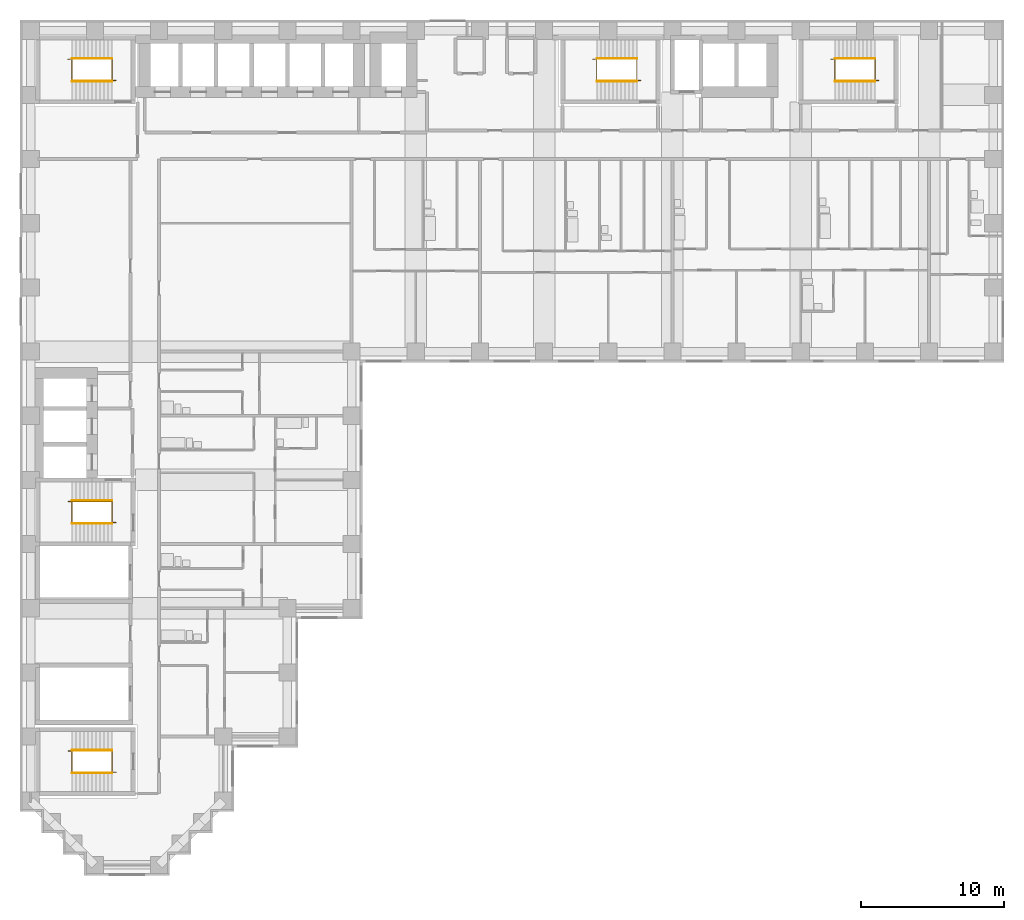
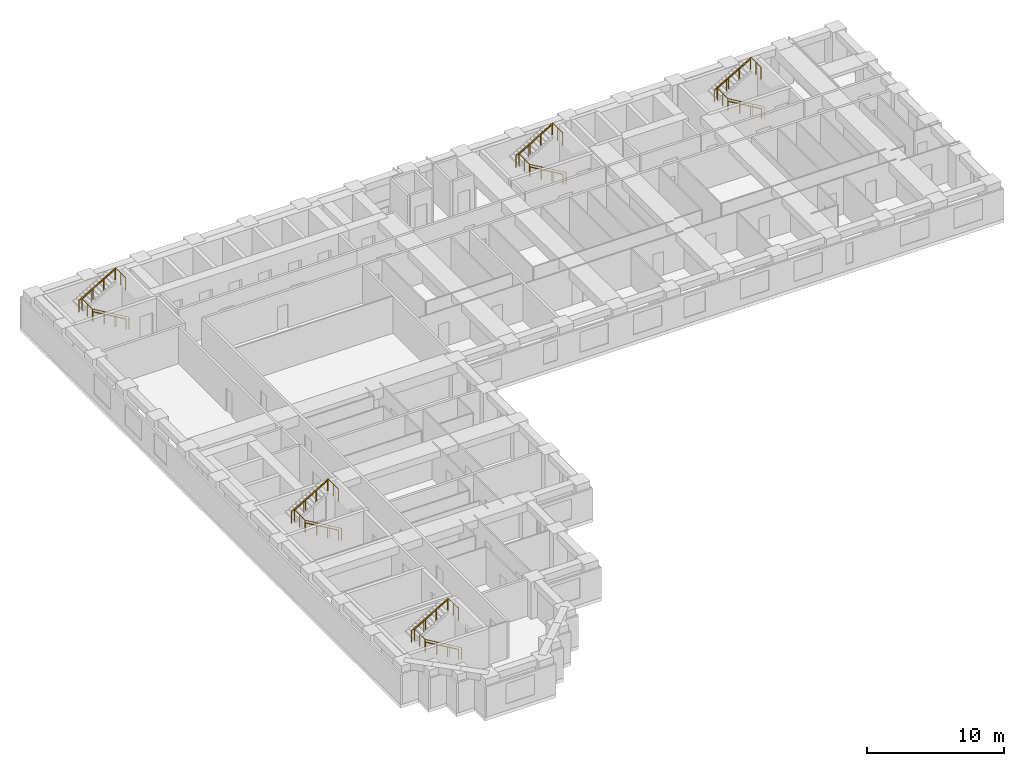
# One storey, part 10 of 11: 15 railings.
"""IFC4 building model written with IfcOpenShell, lengths in metres."""

from ifc_helpers import new_model, si_unit, direction, frame, origin, origin_2d, place, context, subcontext, project, spatial, circle, extrude, material, type_object, element, save


model = new_model("IFC4")

# Units and contexts
model_context = context("Model", 3, precision=1e-05, world=origin(), true_north=direction((0.0, 1.0)))
body_context = subcontext(model_context, "Body", "Model", "MODEL_VIEW")
ifc_project = project(units=[si_unit("LENGTHUNIT", "METRE"), si_unit("AREAUNIT", "SQUARE_METRE"), si_unit("VOLUMEUNIT", "CUBIC_METRE"), si_unit("PLANEANGLEUNIT", "RADIAN"), si_unit("MASSUNIT", "GRAM", prefix="KILO")], contexts=[model_context])

# Site, building, storey
site_placement = place(None, origin())
site = spatial("IfcSite", under=ifc_project, at=site_placement, CompositionType="ELEMENT")
building_placement = place(site_placement, origin())
building = spatial("IfcBuilding", under=site, at=building_placement, Name="Firuza Court", CompositionType="ELEMENT")
storey_placement = place(building_placement, frame((0.0, 0.0, 83.0)))
storey = spatial("IfcBuildingStorey", under=building, at=storey_placement, Name="L20", CompositionType="ELEMENT", Elevation=83.0)

# Railings
ifc_material_1 = material(Name="Steel S355", Category="steel")
railing_type_1 = type_object("IfcRailingType", Name="Handrail 900", PredefinedType="HANDRAIL", material=ifc_material_1)
railing_1_placement = place(storey_placement, frame((42.5, 54.949951171875, 0.16357421875)))
element("IfcRailing", 1, at=railing_1_placement, inside=storey, type_object=railing_type_1, Name="Handrail S1 flight 1", PredefinedType="HANDRAIL", context=body_context, shape_type="SweptSolid", body=[
    extrude(circle(Radius=0.02490234375, at=origin_2d()), frame((0.0, 0.0, 0.875), z_axis=(-0.863360870873, 0.0, 0.504586966384), x_axis=(0.0, -1.0, 0.0)), (0.0, 0.0, 1.0), 3.2431640625),
    extrude(circle(Radius=0.02001953125, at=origin_2d()), origin(), (0.0, 0.0, 1.0), 0.849853515625),
    extrude(circle(Radius=0.02001953125, at=origin_2d()), frame((-0.933349609375, 0.0, 0.54541015625)), (0.0, 0.0, 1.0), 0.849853515625),
    extrude(circle(Radius=0.02001953125, at=origin_2d()), frame((-1.86669921875, 0.0, 1.091064453125)), (0.0, 0.0, 1.0), 0.849853515625),
    extrude(circle(Radius=0.02001953125, at=origin_2d()), frame((-2.800048828125, 0.0, 1.636474609375)), (0.0, 0.0, 1.0), 0.849853515625),
])
railing_2_placement = place(storey_placement, frame((39.699951171875, 56.550048828125, 1.963623046875)))
element("IfcRailing", 2, at=railing_2_placement, inside=storey, type_object=railing_type_1, Name="Handrail S1 flight 2", PredefinedType="HANDRAIL", context=body_context, shape_type="SweptSolid", body=[
    extrude(circle(Radius=0.02490234375, at=origin_2d()), frame((0.0, 0.0, 0.875), z_axis=(0.863360870873, 0.0, 0.504586966384), x_axis=(0.0, 1.0, 0.0)), (0.0, 0.0, 1.0), 3.2431640625),
    extrude(circle(Radius=0.02001953125, at=origin_2d()), origin(), (0.0, 0.0, 1.0), 0.849853515625),
    extrude(circle(Radius=0.02001953125, at=origin_2d()), frame((0.933349609375, 0.0, 0.54541015625)), (0.0, 0.0, 1.0), 0.849853515625),
    extrude(circle(Radius=0.02001953125, at=origin_2d()), frame((1.86669921875, 0.0, 1.091064453125)), (0.0, 0.0, 1.0), 0.849853515625),
    extrude(circle(Radius=0.02001953125, at=origin_2d()), frame((2.800048828125, 0.0, 1.636474609375)), (0.0, 0.0, 1.0), 0.849853515625),
])
railing_3_placement = place(storey_placement, frame((5.699951171875, 23.949951171875, 0.16357421875)))
element("IfcRailing", 3, at=railing_3_placement, inside=storey, type_object=railing_type_1, Name="Handrail S2 flight 1", PredefinedType="HANDRAIL", context=body_context, shape_type="SweptSolid", body=[
    extrude(circle(Radius=0.02490234375, at=origin_2d()), frame((0.0, 0.0, 0.875), z_axis=(-0.863360870873, 0.0, 0.504586966384), x_axis=(0.0, -1.0, 0.0)), (0.0, 0.0, 1.0), 3.2431640625),
    extrude(circle(Radius=0.02001953125, at=origin_2d()), origin(), (0.0, 0.0, 1.0), 0.849853515625),
    extrude(circle(Radius=0.02001953125, at=origin_2d()), frame((-0.933349609375, 0.0, 0.54541015625)), (0.0, 0.0, 1.0), 0.849853515625),
    extrude(circle(Radius=0.02001953125, at=origin_2d()), frame((-1.86669921875, 0.0, 1.091064453125)), (0.0, 0.0, 1.0), 0.849853515625),
    extrude(circle(Radius=0.02001953125, at=origin_2d()), frame((-2.800048828125, 0.0, 1.636474609375)), (0.0, 0.0, 1.0), 0.849853515625),
])
railing_4_placement = place(storey_placement, frame((2.89990234375, 25.550048828125, 1.963623046875)))
element("IfcRailing", 4, at=railing_4_placement, inside=storey, type_object=railing_type_1, Name="Handrail S2 flight 2", PredefinedType="HANDRAIL", context=body_context, shape_type="SweptSolid", body=[
    extrude(circle(Radius=0.02490234375, at=origin_2d()), frame((0.0, 0.0, 0.875), z_axis=(0.863360870873, 0.0, 0.504586966384), x_axis=(0.0, 1.0, 0.0)), (0.0, 0.0, 1.0), 3.2431640625),
    extrude(circle(Radius=0.02001953125, at=origin_2d()), origin(), (0.0, 0.0, 1.0), 0.849853515625),
    extrude(circle(Radius=0.02001953125, at=origin_2d()), frame((0.933349609375, 0.0, 0.54541015625)), (0.0, 0.0, 1.0), 0.849853515625),
    extrude(circle(Radius=0.02001953125, at=origin_2d()), frame((1.86669921875, 0.0, 1.091064453125)), (0.0, 0.0, 1.0), 0.849853515625),
    extrude(circle(Radius=0.02001953125, at=origin_2d()), frame((2.800048828125, 0.0, 1.636474609375)), (0.0, 0.0, 1.0), 0.849853515625),
])
railing_5_placement = place(storey_placement, frame((5.699951171875, 54.949951171875, 0.16357421875)))
element("IfcRailing", 5, at=railing_5_placement, inside=storey, type_object=railing_type_1, Name="Handrail S3 flight 1", PredefinedType="HANDRAIL", context=body_context, shape_type="SweptSolid", body=[
    extrude(circle(Radius=0.02490234375, at=origin_2d()), frame((0.0, 0.0, 0.875), z_axis=(-0.863360870873, 0.0, 0.504586966384), x_axis=(0.0, -1.0, 0.0)), (0.0, 0.0, 1.0), 3.2431640625),
    extrude(circle(Radius=0.02001953125, at=origin_2d()), origin(), (0.0, 0.0, 1.0), 0.849853515625),
    extrude(circle(Radius=0.02001953125, at=origin_2d()), frame((-0.933349609375, 0.0, 0.54541015625)), (0.0, 0.0, 1.0), 0.849853515625),
    extrude(circle(Radius=0.02001953125, at=origin_2d()), frame((-1.86669921875, 0.0, 1.091064453125)), (0.0, 0.0, 1.0), 0.849853515625),
    extrude(circle(Radius=0.02001953125, at=origin_2d()), frame((-2.800048828125, 0.0, 1.636474609375)), (0.0, 0.0, 1.0), 0.849853515625),
])
railing_6_placement = place(storey_placement, frame((2.89990234375, 56.550048828125, 1.963623046875)))
element("IfcRailing", 6, at=railing_6_placement, inside=storey, type_object=railing_type_1, Name="Handrail S3 flight 2", PredefinedType="HANDRAIL", context=body_context, shape_type="SweptSolid", body=[
    extrude(circle(Radius=0.02490234375, at=origin_2d()), frame((0.0, 0.0, 0.875), z_axis=(0.863360870873, 0.0, 0.504586966384), x_axis=(0.0, 1.0, 0.0)), (0.0, 0.0, 1.0), 3.2431640625),
    extrude(circle(Radius=0.02001953125, at=origin_2d()), origin(), (0.0, 0.0, 1.0), 0.849853515625),
    extrude(circle(Radius=0.02001953125, at=origin_2d()), frame((0.933349609375, 0.0, 0.54541015625)), (0.0, 0.0, 1.0), 0.849853515625),
    extrude(circle(Radius=0.02001953125, at=origin_2d()), frame((1.86669921875, 0.0, 1.091064453125)), (0.0, 0.0, 1.0), 0.849853515625),
    extrude(circle(Radius=0.02001953125, at=origin_2d()), frame((2.800048828125, 0.0, 1.636474609375)), (0.0, 0.0, 1.0), 0.849853515625),
])
railing_7_placement = place(storey_placement, frame((59.199951171875, 54.949951171875, 0.16357421875)))
element("IfcRailing", 7, at=railing_7_placement, inside=storey, type_object=railing_type_1, Name="Handrail S4 flight 1", PredefinedType="HANDRAIL", context=body_context, shape_type="SweptSolid", body=[
    extrude(circle(Radius=0.02490234375, at=origin_2d()), frame((0.0, 0.0, 0.875), z_axis=(-0.863360870873, 0.0, 0.504586966384), x_axis=(0.0, -1.0, 0.0)), (0.0, 0.0, 1.0), 3.2431640625),
    extrude(circle(Radius=0.02001953125, at=origin_2d()), origin(), (0.0, 0.0, 1.0), 0.849853515625),
    extrude(circle(Radius=0.02001953125, at=origin_2d()), frame((-0.933349609375, 0.0, 0.54541015625)), (0.0, 0.0, 1.0), 0.849853515625),
    extrude(circle(Radius=0.02001953125, at=origin_2d()), frame((-1.86669921875, 0.0, 1.091064453125)), (0.0, 0.0, 1.0), 0.849853515625),
    extrude(circle(Radius=0.02001953125, at=origin_2d()), frame((-2.800048828125, 0.0, 1.636474609375)), (0.0, 0.0, 1.0), 0.849853515625),
])
railing_8_placement = place(storey_placement, frame((56.39990234375, 56.550048828125, 1.963623046875)))
element("IfcRailing", 8, at=railing_8_placement, inside=storey, type_object=railing_type_1, Name="Handrail S4 flight 2", PredefinedType="HANDRAIL", context=body_context, shape_type="SweptSolid", body=[
    extrude(circle(Radius=0.02490234375, at=origin_2d()), frame((0.0, 0.0, 0.875), z_axis=(0.863360870873, 0.0, 0.504586966384), x_axis=(0.0, 1.0, 0.0)), (0.0, 0.0, 1.0), 3.2431640625),
    extrude(circle(Radius=0.02001953125, at=origin_2d()), origin(), (0.0, 0.0, 1.0), 0.849853515625),
    extrude(circle(Radius=0.02001953125, at=origin_2d()), frame((0.933349609375, 0.0, 0.54541015625)), (0.0, 0.0, 1.0), 0.849853515625),
    extrude(circle(Radius=0.02001953125, at=origin_2d()), frame((1.86669921875, 0.0, 1.091064453125)), (0.0, 0.0, 1.0), 0.849853515625),
    extrude(circle(Radius=0.02001953125, at=origin_2d()), frame((2.800048828125, 0.0, 1.636474609375)), (0.0, 0.0, 1.0), 0.849853515625),
])
railing_9_placement = place(storey_placement, frame((5.699951171875, 6.449951171875, 0.16357421875)))
element("IfcRailing", 9, at=railing_9_placement, inside=storey, type_object=railing_type_1, Name="Handrail S5 flight 1", PredefinedType="HANDRAIL", context=body_context, shape_type="SweptSolid", body=[
    extrude(circle(Radius=0.02490234375, at=origin_2d()), frame((0.0, 0.0, 0.875), z_axis=(-0.863360870873, 0.0, 0.504586966384), x_axis=(0.0, -1.0, 0.0)), (0.0, 0.0, 1.0), 3.2431640625),
    extrude(circle(Radius=0.02001953125, at=origin_2d()), origin(), (0.0, 0.0, 1.0), 0.849853515625),
    extrude(circle(Radius=0.02001953125, at=origin_2d()), frame((-0.933349609375, 0.0, 0.54541015625)), (0.0, 0.0, 1.0), 0.849853515625),
    extrude(circle(Radius=0.02001953125, at=origin_2d()), frame((-1.86669921875, 0.0, 1.091064453125)), (0.0, 0.0, 1.0), 0.849853515625),
    extrude(circle(Radius=0.02001953125, at=origin_2d()), frame((-2.800048828125, 0.0, 1.636474609375)), (0.0, 0.0, 1.0), 0.849853515625),
])
railing_10_placement = place(storey_placement, frame((2.89990234375, 8.050048828125, 1.963623046875)))
element("IfcRailing", 10, at=railing_10_placement, inside=storey, type_object=railing_type_1, Name="Handrail S5 flight 2", PredefinedType="HANDRAIL", context=body_context, shape_type="SweptSolid", body=[
    extrude(circle(Radius=0.02490234375, at=origin_2d()), frame((0.0, 0.0, 0.875), z_axis=(0.863360870873, 0.0, 0.504586966384), x_axis=(0.0, 1.0, 0.0)), (0.0, 0.0, 1.0), 3.2431640625),
    extrude(circle(Radius=0.02001953125, at=origin_2d()), origin(), (0.0, 0.0, 1.0), 0.849853515625),
    extrude(circle(Radius=0.02001953125, at=origin_2d()), frame((0.933349609375, 0.0, 0.54541015625)), (0.0, 0.0, 1.0), 0.849853515625),
    extrude(circle(Radius=0.02001953125, at=origin_2d()), frame((1.86669921875, 0.0, 1.091064453125)), (0.0, 0.0, 1.0), 0.849853515625),
    extrude(circle(Radius=0.02001953125, at=origin_2d()), frame((2.800048828125, 0.0, 1.636474609375)), (0.0, 0.0, 1.0), 0.849853515625),
])
ifc_material_2 = material(Name="Steel S355", Category="steel")
railing_type_2 = type_object("IfcRailingType", Name="Stair guard 1100", PredefinedType="GUARDRAIL", material=ifc_material_2)
railing_11_placement = place(storey_placement, frame((42.780029296875, 55.010009765625, 0.0)))
element("IfcRailing", 11, at=railing_11_placement, inside=storey, type_object=railing_type_2, Name="Stair well guard S1", PredefinedType="GUARDRAIL", context=body_context, shape_type="SweptSolid", body=[
    extrude(circle(Radius=0.02490234375, at=origin_2d()), frame((0.0, 0.0, 1.0751953125), z_axis=(-0.863371556955, 0.0, 0.504568681787), x_axis=(0.0, -1.0, 0.0)), (0.0, 0.0, 1.0), 3.5673828125),
    extrude(circle(Radius=0.02490234375, at=origin_2d()), frame((-3.080078125, 0.0, 2.875), z_axis=(0.0, 1.0, 0.0), x_axis=(-1.0, 0.0, 0.0)), (0.0, 0.0, 1.0), 1.47998046875),
    extrude(circle(Radius=0.02490234375, at=origin_2d()), frame((-3.080078125, 1.47998046875, 2.875), z_axis=(-1.0, 0.0, 0.0), x_axis=(0.0, -1.0, 0.0)), (0.0, 0.0, 1.0), 0.280029296875),
    extrude(circle(Radius=0.02490234375, at=origin_2d()), frame((-3.360107421875, 1.47998046875, 2.875), z_axis=(0.863371556955, 0.0, 0.504568681787), x_axis=(0.0, 1.0, 0.0)), (0.0, 0.0, 1.0), 3.5673828125),
    extrude(circle(Radius=0.02490234375, at=origin_2d()), frame((-0.280029296875, 1.47998046875, 4.67529296875), z_axis=(0.0, -1.0, 0.0), x_axis=(1.0, 0.0, 0.0)), (0.0, 0.0, 1.0), 1.47998046875),
    extrude(circle(Radius=0.02490234375, at=origin_2d()), origin(), (0.0, 0.0, 1.0), 1.050048828125),
    extrude(circle(Radius=0.02490234375, at=origin_2d()), frame((-1.026611328125, 0.0, 0.60009765625)), (0.0, 0.0, 1.0), 1.050048828125),
    extrude(circle(Radius=0.02490234375, at=origin_2d()), frame((-2.053466796875, 0.0, 1.199951171875)), (0.0, 0.0, 1.0), 1.050048828125),
    extrude(circle(Radius=0.02490234375, at=origin_2d()), frame((-3.080078125, 0.0, 1.800048828125)), (0.0, 0.0, 1.0), 1.050048828125),
    extrude(circle(Radius=0.02490234375, at=origin_2d()), frame((-3.080078125, 0.739990234375, 1.800048828125)), (0.0, 0.0, 1.0), 1.050048828125),
    extrude(circle(Radius=0.02490234375, at=origin_2d()), frame((-3.080078125, 1.47998046875, 1.800048828125)), (0.0, 0.0, 1.0), 1.050048828125),
    extrude(circle(Radius=0.02490234375, at=origin_2d()), frame((-3.360107421875, 1.47998046875, 1.800048828125)), (0.0, 0.0, 1.0), 1.050048828125),
    extrude(circle(Radius=0.02490234375, at=origin_2d()), frame((-2.33349609375, 1.47998046875, 2.400146484375)), (0.0, 0.0, 1.0), 1.050048828125),
    extrude(circle(Radius=0.02490234375, at=origin_2d()), frame((-1.306640625, 1.47998046875, 3.0)), (0.0, 0.0, 1.0), 1.050048828125),
    extrude(circle(Radius=0.02490234375, at=origin_2d()), frame((-0.280029296875, 1.47998046875, 3.60009765625)), (0.0, 0.0, 1.0), 1.050048828125),
    extrude(circle(Radius=0.02490234375, at=origin_2d()), frame((-0.280029296875, 0.739990234375, 3.60009765625)), (0.0, 0.0, 1.0), 1.050048828125),
    extrude(circle(Radius=0.02490234375, at=origin_2d()), frame((-0.280029296875, 0.0, 3.60009765625)), (0.0, 0.0, 1.0), 1.050048828125),
])
railing_12_placement = place(storey_placement, frame((5.97998046875, 24.010009765625, 0.0)))
element("IfcRailing", 12, at=railing_12_placement, inside=storey, type_object=railing_type_2, Name="Stair well guard S2", PredefinedType="GUARDRAIL", context=body_context, shape_type="SweptSolid", body=[
    extrude(circle(Radius=0.02490234375, at=origin_2d()), frame((0.0, 0.0, 1.0751953125), z_axis=(-0.863371556955, 0.0, 0.504568681787), x_axis=(0.0, -1.0, 0.0)), (0.0, 0.0, 1.0), 3.5673828125),
    extrude(circle(Radius=0.02490234375, at=origin_2d()), frame((-3.080078125, 0.0, 2.875), z_axis=(0.0, 1.0, 0.0), x_axis=(-1.0, 0.0, 0.0)), (0.0, 0.0, 1.0), 1.47998046875),
    extrude(circle(Radius=0.02490234375, at=origin_2d()), frame((-3.080078125, 1.47998046875, 2.875), z_axis=(-1.0, 0.0, 0.0), x_axis=(0.0, -1.0, 0.0)), (0.0, 0.0, 1.0), 0.27978515625),
    extrude(circle(Radius=0.02490234375, at=origin_2d()), frame((-3.35986328125, 1.47998046875, 2.875), z_axis=(0.863354132664, 0.0, 0.504598495452), x_axis=(0.0, 1.0, 0.0)), (0.0, 0.0, 1.0), 3.5673828125),
    extrude(circle(Radius=0.02490234375, at=origin_2d()), frame((-0.280029296875, 1.47998046875, 4.67529296875), z_axis=(0.0, -1.0, 0.0), x_axis=(1.0, 0.0, 0.0)), (0.0, 0.0, 1.0), 1.47998046875),
    extrude(circle(Radius=0.02490234375, at=origin_2d()), origin(), (0.0, 0.0, 1.0), 1.050048828125),
    extrude(circle(Radius=0.02490234375, at=origin_2d()), frame((-1.026611328125, 0.0, 0.60009765625)), (0.0, 0.0, 1.0), 1.050048828125),
    extrude(circle(Radius=0.02490234375, at=origin_2d()), frame((-2.053466796875, 0.0, 1.199951171875)), (0.0, 0.0, 1.0), 1.050048828125),
    extrude(circle(Radius=0.02490234375, at=origin_2d()), frame((-3.080078125, 0.0, 1.800048828125)), (0.0, 0.0, 1.0), 1.050048828125),
    extrude(circle(Radius=0.02490234375, at=origin_2d()), frame((-3.080078125, 0.739990234375, 1.800048828125)), (0.0, 0.0, 1.0), 1.050048828125),
    extrude(circle(Radius=0.02490234375, at=origin_2d()), frame((-3.080078125, 1.47998046875, 1.800048828125)), (0.0, 0.0, 1.0), 1.050048828125),
    extrude(circle(Radius=0.02490234375, at=origin_2d()), frame((-3.35986328125, 1.47998046875, 1.800048828125)), (0.0, 0.0, 1.0), 1.050048828125),
    extrude(circle(Radius=0.02490234375, at=origin_2d()), frame((-2.333251953125, 1.47998046875, 2.400146484375)), (0.0, 0.0, 1.0), 1.050048828125),
    extrude(circle(Radius=0.02490234375, at=origin_2d()), frame((-1.306640625, 1.47998046875, 3.0)), (0.0, 0.0, 1.0), 1.050048828125),
    extrude(circle(Radius=0.02490234375, at=origin_2d()), frame((-0.280029296875, 1.47998046875, 3.60009765625)), (0.0, 0.0, 1.0), 1.050048828125),
    extrude(circle(Radius=0.02490234375, at=origin_2d()), frame((-0.280029296875, 0.739990234375, 3.60009765625)), (0.0, 0.0, 1.0), 1.050048828125),
    extrude(circle(Radius=0.02490234375, at=origin_2d()), frame((-0.280029296875, 0.0, 3.60009765625)), (0.0, 0.0, 1.0), 1.050048828125),
])
railing_13_placement = place(storey_placement, frame((5.97998046875, 55.010009765625, 0.0)))
element("IfcRailing", 13, at=railing_13_placement, inside=storey, type_object=railing_type_2, Name="Stair well guard S3", PredefinedType="GUARDRAIL", context=body_context, shape_type="SweptSolid", body=[
    extrude(circle(Radius=0.02490234375, at=origin_2d()), frame((0.0, 0.0, 1.0751953125), z_axis=(-0.863371556955, 0.0, 0.504568681787), x_axis=(0.0, -1.0, 0.0)), (0.0, 0.0, 1.0), 3.5673828125),
    extrude(circle(Radius=0.02490234375, at=origin_2d()), frame((-3.080078125, 0.0, 2.875), z_axis=(0.0, 1.0, 0.0), x_axis=(-1.0, 0.0, 0.0)), (0.0, 0.0, 1.0), 1.47998046875),
    extrude(circle(Radius=0.02490234375, at=origin_2d()), frame((-3.080078125, 1.47998046875, 2.875), z_axis=(-1.0, 0.0, 0.0), x_axis=(0.0, -1.0, 0.0)), (0.0, 0.0, 1.0), 0.27978515625),
    extrude(circle(Radius=0.02490234375, at=origin_2d()), frame((-3.35986328125, 1.47998046875, 2.875), z_axis=(0.863354132664, 0.0, 0.504598495452), x_axis=(0.0, 1.0, 0.0)), (0.0, 0.0, 1.0), 3.5673828125),
    extrude(circle(Radius=0.02490234375, at=origin_2d()), frame((-0.280029296875, 1.47998046875, 4.67529296875), z_axis=(0.0, -1.0, 0.0), x_axis=(1.0, 0.0, 0.0)), (0.0, 0.0, 1.0), 1.47998046875),
    extrude(circle(Radius=0.02490234375, at=origin_2d()), origin(), (0.0, 0.0, 1.0), 1.050048828125),
    extrude(circle(Radius=0.02490234375, at=origin_2d()), frame((-1.026611328125, 0.0, 0.60009765625)), (0.0, 0.0, 1.0), 1.050048828125),
    extrude(circle(Radius=0.02490234375, at=origin_2d()), frame((-2.053466796875, 0.0, 1.199951171875)), (0.0, 0.0, 1.0), 1.050048828125),
    extrude(circle(Radius=0.02490234375, at=origin_2d()), frame((-3.080078125, 0.0, 1.800048828125)), (0.0, 0.0, 1.0), 1.050048828125),
    extrude(circle(Radius=0.02490234375, at=origin_2d()), frame((-3.080078125, 0.739990234375, 1.800048828125)), (0.0, 0.0, 1.0), 1.050048828125),
    extrude(circle(Radius=0.02490234375, at=origin_2d()), frame((-3.080078125, 1.47998046875, 1.800048828125)), (0.0, 0.0, 1.0), 1.050048828125),
    extrude(circle(Radius=0.02490234375, at=origin_2d()), frame((-3.35986328125, 1.47998046875, 1.800048828125)), (0.0, 0.0, 1.0), 1.050048828125),
    extrude(circle(Radius=0.02490234375, at=origin_2d()), frame((-2.333251953125, 1.47998046875, 2.400146484375)), (0.0, 0.0, 1.0), 1.050048828125),
    extrude(circle(Radius=0.02490234375, at=origin_2d()), frame((-1.306640625, 1.47998046875, 3.0)), (0.0, 0.0, 1.0), 1.050048828125),
    extrude(circle(Radius=0.02490234375, at=origin_2d()), frame((-0.280029296875, 1.47998046875, 3.60009765625)), (0.0, 0.0, 1.0), 1.050048828125),
    extrude(circle(Radius=0.02490234375, at=origin_2d()), frame((-0.280029296875, 0.739990234375, 3.60009765625)), (0.0, 0.0, 1.0), 1.050048828125),
    extrude(circle(Radius=0.02490234375, at=origin_2d()), frame((-0.280029296875, 0.0, 3.60009765625)), (0.0, 0.0, 1.0), 1.050048828125),
])
railing_14_placement = place(storey_placement, frame((59.47998046875, 55.010009765625, 0.0)))
element("IfcRailing", 14, at=railing_14_placement, inside=storey, type_object=railing_type_2, Name="Stair well guard S4", PredefinedType="GUARDRAIL", context=body_context, shape_type="SweptSolid", body=[
    extrude(circle(Radius=0.02490234375, at=origin_2d()), frame((0.0, 0.0, 1.0751953125), z_axis=(-0.863371556955, 0.0, 0.504568681787), x_axis=(0.0, -1.0, 0.0)), (0.0, 0.0, 1.0), 3.5673828125),
    extrude(circle(Radius=0.02490234375, at=origin_2d()), frame((-3.080078125, 0.0, 2.875), z_axis=(0.0, 1.0, 0.0), x_axis=(-1.0, 0.0, 0.0)), (0.0, 0.0, 1.0), 1.47998046875),
    extrude(circle(Radius=0.02490234375, at=origin_2d()), frame((-3.080078125, 1.47998046875, 2.875), z_axis=(-1.0, 0.0, 0.0), x_axis=(0.0, -1.0, 0.0)), (0.0, 0.0, 1.0), 0.27978515625),
    extrude(circle(Radius=0.02490234375, at=origin_2d()), frame((-3.35986328125, 1.47998046875, 2.875), z_axis=(0.863354132664, 0.0, 0.504598495452), x_axis=(0.0, 1.0, 0.0)), (0.0, 0.0, 1.0), 3.5673828125),
    extrude(circle(Radius=0.02490234375, at=origin_2d()), frame((-0.280029296875, 1.47998046875, 4.67529296875), z_axis=(0.0, -1.0, 0.0), x_axis=(1.0, 0.0, 0.0)), (0.0, 0.0, 1.0), 1.47998046875),
    extrude(circle(Radius=0.02490234375, at=origin_2d()), origin(), (0.0, 0.0, 1.0), 1.050048828125),
    extrude(circle(Radius=0.02490234375, at=origin_2d()), frame((-1.026611328125, 0.0, 0.60009765625)), (0.0, 0.0, 1.0), 1.050048828125),
    extrude(circle(Radius=0.02490234375, at=origin_2d()), frame((-2.053466796875, 0.0, 1.199951171875)), (0.0, 0.0, 1.0), 1.050048828125),
    extrude(circle(Radius=0.02490234375, at=origin_2d()), frame((-3.080078125, 0.0, 1.800048828125)), (0.0, 0.0, 1.0), 1.050048828125),
    extrude(circle(Radius=0.02490234375, at=origin_2d()), frame((-3.080078125, 0.739990234375, 1.800048828125)), (0.0, 0.0, 1.0), 1.050048828125),
    extrude(circle(Radius=0.02490234375, at=origin_2d()), frame((-3.080078125, 1.47998046875, 1.800048828125)), (0.0, 0.0, 1.0), 1.050048828125),
    extrude(circle(Radius=0.02490234375, at=origin_2d()), frame((-3.35986328125, 1.47998046875, 1.800048828125)), (0.0, 0.0, 1.0), 1.050048828125),
    extrude(circle(Radius=0.02490234375, at=origin_2d()), frame((-2.333251953125, 1.47998046875, 2.400146484375)), (0.0, 0.0, 1.0), 1.050048828125),
    extrude(circle(Radius=0.02490234375, at=origin_2d()), frame((-1.306640625, 1.47998046875, 3.0)), (0.0, 0.0, 1.0), 1.050048828125),
    extrude(circle(Radius=0.02490234375, at=origin_2d()), frame((-0.280029296875, 1.47998046875, 3.60009765625)), (0.0, 0.0, 1.0), 1.050048828125),
    extrude(circle(Radius=0.02490234375, at=origin_2d()), frame((-0.280029296875, 0.739990234375, 3.60009765625)), (0.0, 0.0, 1.0), 1.050048828125),
    extrude(circle(Radius=0.02490234375, at=origin_2d()), frame((-0.280029296875, 0.0, 3.60009765625)), (0.0, 0.0, 1.0), 1.050048828125),
])
railing_15_placement = place(storey_placement, frame((5.97998046875, 6.510009765625, 0.0)))
element("IfcRailing", 15, at=railing_15_placement, inside=storey, type_object=railing_type_2, Name="Stair well guard S5", PredefinedType="GUARDRAIL", context=body_context, shape_type="SweptSolid", body=[
    extrude(circle(Radius=0.02490234375, at=origin_2d()), frame((0.0, 0.0, 1.0751953125), z_axis=(-0.863371556955, 0.0, 0.504568681787), x_axis=(0.0, -1.0, 0.0)), (0.0, 0.0, 1.0), 3.5673828125),
    extrude(circle(Radius=0.02490234375, at=origin_2d()), frame((-3.080078125, 0.0, 2.875), z_axis=(0.0, 1.0, 0.0), x_axis=(-1.0, 0.0, 0.0)), (0.0, 0.0, 1.0), 1.47998046875),
    extrude(circle(Radius=0.02490234375, at=origin_2d()), frame((-3.080078125, 1.47998046875, 2.875), z_axis=(-1.0, 0.0, 0.0), x_axis=(0.0, -1.0, 0.0)), (0.0, 0.0, 1.0), 0.27978515625),
    extrude(circle(Radius=0.02490234375, at=origin_2d()), frame((-3.35986328125, 1.47998046875, 2.875), z_axis=(0.863354132664, 0.0, 0.504598495452), x_axis=(0.0, 1.0, 0.0)), (0.0, 0.0, 1.0), 3.5673828125),
    extrude(circle(Radius=0.02490234375, at=origin_2d()), frame((-0.280029296875, 1.47998046875, 4.67529296875), z_axis=(0.0, -1.0, 0.0), x_axis=(1.0, 0.0, 0.0)), (0.0, 0.0, 1.0), 1.47998046875),
    extrude(circle(Radius=0.02490234375, at=origin_2d()), origin(), (0.0, 0.0, 1.0), 1.050048828125),
    extrude(circle(Radius=0.02490234375, at=origin_2d()), frame((-1.026611328125, 0.0, 0.60009765625)), (0.0, 0.0, 1.0), 1.050048828125),
    extrude(circle(Radius=0.02490234375, at=origin_2d()), frame((-2.053466796875, 0.0, 1.199951171875)), (0.0, 0.0, 1.0), 1.050048828125),
    extrude(circle(Radius=0.02490234375, at=origin_2d()), frame((-3.080078125, 0.0, 1.800048828125)), (0.0, 0.0, 1.0), 1.050048828125),
    extrude(circle(Radius=0.02490234375, at=origin_2d()), frame((-3.080078125, 0.739990234375, 1.800048828125)), (0.0, 0.0, 1.0), 1.050048828125),
    extrude(circle(Radius=0.02490234375, at=origin_2d()), frame((-3.080078125, 1.47998046875, 1.800048828125)), (0.0, 0.0, 1.0), 1.050048828125),
    extrude(circle(Radius=0.02490234375, at=origin_2d()), frame((-3.35986328125, 1.47998046875, 1.800048828125)), (0.0, 0.0, 1.0), 1.050048828125),
    extrude(circle(Radius=0.02490234375, at=origin_2d()), frame((-2.333251953125, 1.47998046875, 2.400146484375)), (0.0, 0.0, 1.0), 1.050048828125),
    extrude(circle(Radius=0.02490234375, at=origin_2d()), frame((-1.306640625, 1.47998046875, 3.0)), (0.0, 0.0, 1.0), 1.050048828125),
    extrude(circle(Radius=0.02490234375, at=origin_2d()), frame((-0.280029296875, 1.47998046875, 3.60009765625)), (0.0, 0.0, 1.0), 1.050048828125),
    extrude(circle(Radius=0.02490234375, at=origin_2d()), frame((-0.280029296875, 0.739990234375, 3.60009765625)), (0.0, 0.0, 1.0), 1.050048828125),
    extrude(circle(Radius=0.02490234375, at=origin_2d()), frame((-0.280029296875, 0.0, 3.60009765625)), (0.0, 0.0, 1.0), 1.050048828125),
])

save(model, "model.ifc")
